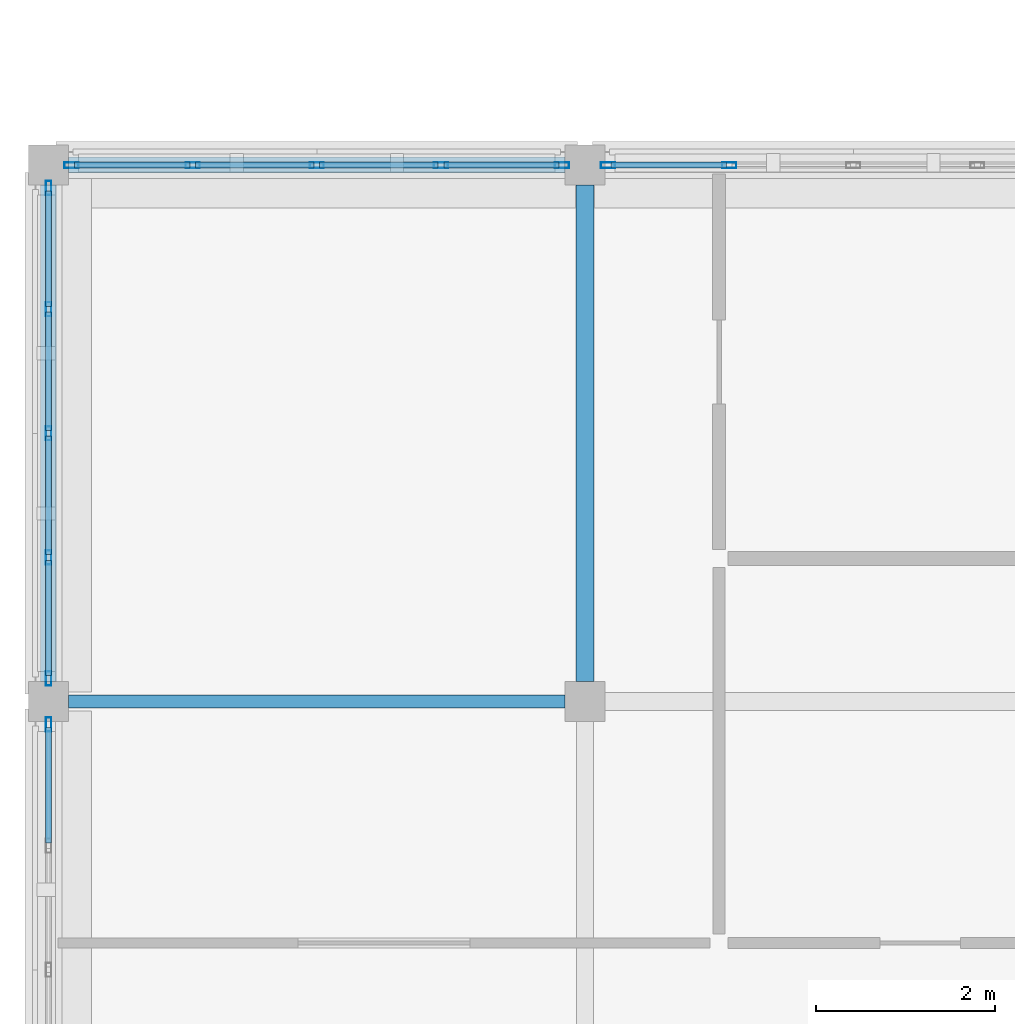
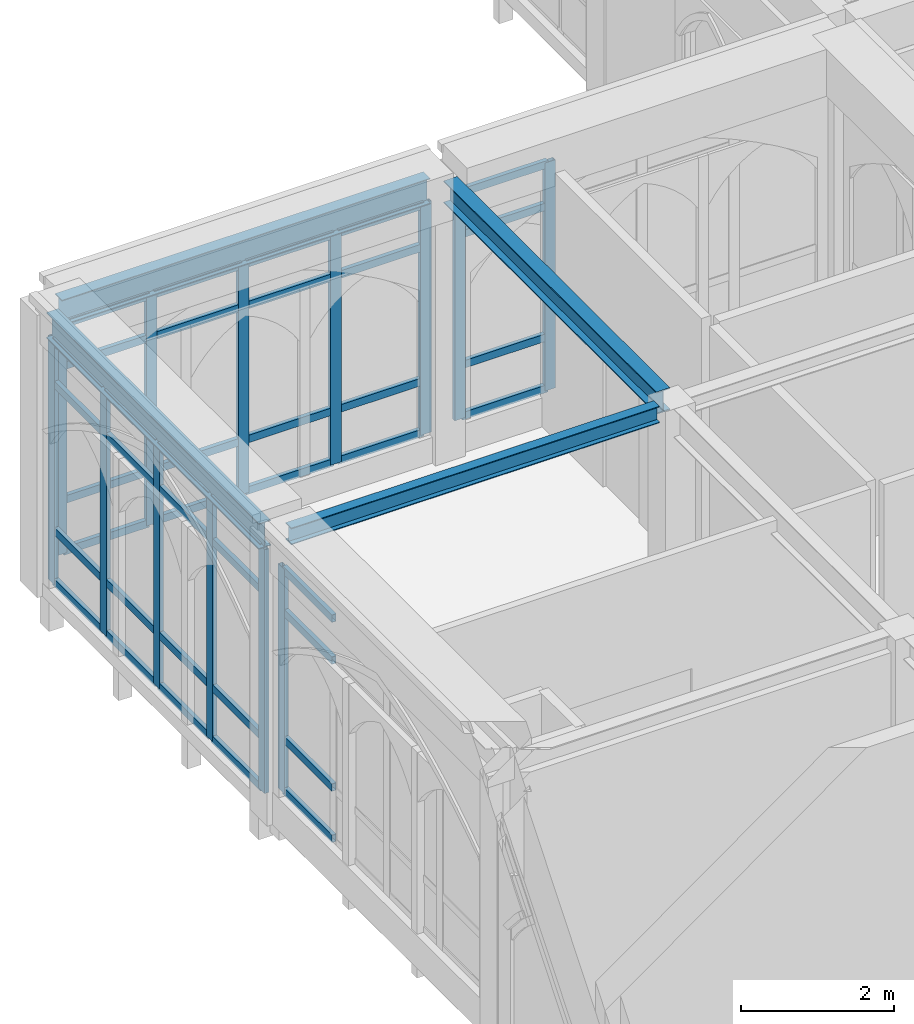
# One storey, part 8 of 59: 53 members, 4 beams, 4 elements without a shape of their own.
"""IFC4 building model written with IfcOpenShell, lengths in metres."""

from ifc_helpers import new_model, si_unit, direction, frame, origin, origin_2d, place, context, subcontext, project, spatial, hollow_rectangle, i_section, extrude, material, layer, layer_set, material_profile, profile_set, type_object, element, aggregate, save


model = new_model("IFC4")

# Units and contexts
model_context = context("Model", 3, precision=1e-05, world=origin(), true_north=direction((0.0, 1.0)))
body_context = subcontext(model_context, "Body", "Model", "MODEL_VIEW")
ifc_project = project(units=[si_unit("LENGTHUNIT", "METRE"), si_unit("AREAUNIT", "SQUARE_METRE"), si_unit("VOLUMEUNIT", "CUBIC_METRE"), si_unit("PLANEANGLEUNIT", "RADIAN"), si_unit("MASSUNIT", "GRAM", prefix="KILO")], contexts=[model_context])

# Site, building, storey
site_placement = place(None, origin())
site = spatial("IfcSite", under=ifc_project, at=site_placement, CompositionType="ELEMENT")
building_placement = place(site_placement, origin())
building = spatial("IfcBuilding", under=site, at=building_placement, Name="Cumevento Cable Car Station", CompositionType="ELEMENT")
storey_placement = place(building_placement, frame((0.0, 0.0, 18.0)))
storey = spatial("IfcBuildingStorey", under=building, at=storey_placement, Name="L05", CompositionType="ELEMENT", Elevation=18.0)

# Curtain wall, members
ifc_material_1 = material(Name="Anodised Bronze Aluminium AW-6063-T6", Category="aluminium")
ifc_layer_1 = layer(ifc_material_1, 0.18994140625)
ifc_layer_set_1 = layer_set([ifc_layer_1], Name="Anodised Bronze Aluminium AW-6063-T6")
curtain_wall_type_1 = type_object("IfcCurtainWallType", Name="Lancet Curtain Wall CW-06 1250", PredefinedType="NOTDEFINED", material=ifc_layer_set_1)
curtain_wall_1_placement = place(storey_placement, origin())
curtain_wall_1 = element("IfcCurtainWall", 1, at=curtain_wall_1_placement, inside=storey, type_object=curtain_wall_type_1, Name="Lancet Curtain Wall CW-06 L05 #197", PredefinedType="NOTDEFINED")
ifc_material_2 = material(Name="Anodised Bronze Aluminium AW-6063-T6", Category="aluminium")
ifc_material_profile_1 = material_profile(ifc_material_2, hollow_rectangle(XDim=0.06494140625, YDim=0.159912109375, WallThickness=0.00390625, at=origin_2d()), Name="ALUM65x160x4")
ifc_profile_set_1 = profile_set([ifc_material_profile_1], Name="Anodised Bronze Aluminium AW-6063-T6")
member_type_1 = type_object("IfcMemberType", Name="Curtain Mullion CWM-01 ALUM65x160x4", PredefinedType="MULLION", material=ifc_profile_set_1)
member_1_placement = place(storey_placement, frame((10.257568359375, 45.0, 0.409912109375), z_axis=(0.0, 0.0, 1.0), x_axis=(0.0, 1.0, 0.0)))
member_1 = element("IfcMember", 2, at=member_1_placement, type_object=member_type_1, Name="CW-06 mullion 1", PredefinedType="MULLION", context=body_context, shape_type="SweptSolid", body=[
    extrude(hollow_rectangle(XDim=0.06494140625, YDim=0.159912109375, WallThickness=0.00390625, at=origin_2d()), origin(), (0.0, 0.0, 1.0), 3.68310546875),
])
member_2_placement = place(storey_placement, frame((11.612548828125, 45.0, 0.409912109375), z_axis=(0.0, 0.0, 1.0), x_axis=(0.0, 1.0, 0.0)))
member_2 = element("IfcMember", 3, at=member_2_placement, type_object=member_type_1, Name="CW-06 mullion 2", PredefinedType="MULLION", context=body_context, shape_type="SweptSolid", body=[
    extrude(hollow_rectangle(XDim=0.06494140625, YDim=0.159912109375, WallThickness=0.00390625, at=origin_2d()), origin(), (0.0, 0.0, 1.0), 3.68310546875),
])
member_3_placement = place(storey_placement, frame((13.0, 45.0, 0.409912109375), z_axis=(0.0, 0.0, 1.0), x_axis=(0.0, 1.0, 0.0)))
member_3 = element("IfcMember", 4, at=member_3_placement, type_object=member_type_1, Name="CW-06 mullion 3", PredefinedType="MULLION", context=body_context, shape_type="SweptSolid", body=[
    extrude(hollow_rectangle(XDim=0.06494140625, YDim=0.159912109375, WallThickness=0.00390625, at=origin_2d()), origin(), (0.0, 0.0, 1.0), 3.68310546875),
])
member_4_placement = place(storey_placement, frame((14.387451171875, 45.0, 0.409912109375), z_axis=(0.0, 0.0, 1.0), x_axis=(0.0, 1.0, 0.0)))
member_4 = element("IfcMember", 5, at=member_4_placement, type_object=member_type_1, Name="CW-06 mullion 4", PredefinedType="MULLION", context=body_context, shape_type="SweptSolid", body=[
    extrude(hollow_rectangle(XDim=0.06494140625, YDim=0.159912109375, WallThickness=0.00390625, at=origin_2d()), origin(), (0.0, 0.0, 1.0), 3.68310546875),
])
member_5_placement = place(storey_placement, frame((15.742431640625, 45.0, 0.409912109375), z_axis=(0.0, 0.0, 1.0), x_axis=(0.0, 1.0, 0.0)))
member_5 = element("IfcMember", 6, at=member_5_placement, type_object=member_type_1, Name="CW-06 mullion 5", PredefinedType="MULLION", context=body_context, shape_type="SweptSolid", body=[
    extrude(hollow_rectangle(XDim=0.06494140625, YDim=0.159912109375, WallThickness=0.00390625, at=origin_2d()), origin(), (0.0, 0.0, 1.0), 3.68310546875),
])

ifc_material_3 = material(Name="Anodised Bronze Aluminium AW-6063-T6", Category="aluminium")
ifc_layer_2 = layer(ifc_material_3, 0.196044921875)
ifc_layer_set_2 = layer_set([ifc_layer_2], Name="Anodised Bronze Aluminium AW-6063-T6")
curtain_wall_type_2 = type_object("IfcCurtainWallType", Name="Lancet Curtain Wall CW-07 1290", PredefinedType="NOTDEFINED", material=ifc_layer_set_2)
curtain_wall_2_placement = place(storey_placement, origin())
curtain_wall_2 = element("IfcCurtainWall", 7, at=curtain_wall_2_placement, inside=storey, type_object=curtain_wall_type_2, Name="Lancet Curtain Wall CW-07 L05 #198", PredefinedType="NOTDEFINED")
member_6_placement = place(storey_placement, frame((16.257568359375, 45.0, 0.4599609375), z_axis=(0.0, 0.0, 1.0), x_axis=(0.0, 1.0, 0.0)))
member_6 = element("IfcMember", 8, at=member_6_placement, type_object=member_type_1, Name="CW-07 mullion 1", PredefinedType="MULLION", context=body_context, shape_type="SweptSolid", body=[
    extrude(hollow_rectangle(XDim=0.06494140625, YDim=0.159912109375, WallThickness=0.00390625, at=origin_2d()), origin(), (0.0, 0.0, 1.0), 3.633056640625),
])
member_7_placement = place(storey_placement, frame((17.612548828125, 45.0, 0.4599609375), z_axis=(0.0, 0.0, 1.0), x_axis=(0.0, 1.0, 0.0)))
member_7 = element("IfcMember", 9, at=member_7_placement, type_object=member_type_1, Name="CW-07 mullion 2", PredefinedType="MULLION", context=body_context, shape_type="SweptSolid", body=[
    extrude(hollow_rectangle(XDim=0.06494140625, YDim=0.159912109375, WallThickness=0.00390625, at=origin_2d()), origin(), (0.0, 0.0, 1.0), 3.633056640625),
])

# Curtain wall, member
ifc_material_4 = material(Name="Anodised Bronze Aluminium AW-6063-T6", Category="aluminium")
ifc_layer_3 = layer(ifc_material_4, 0.201904296875)
ifc_layer_set_3 = layer_set([ifc_layer_3], Name="Anodised Bronze Aluminium AW-6063-T6")
curtain_wall_type_3 = type_object("IfcCurtainWallType", Name="Lancet Curtain Wall CW-08 1330", PredefinedType="NOTDEFINED", material=ifc_layer_set_3)
curtain_wall_3_placement = place(storey_placement, origin())
curtain_wall_3 = element("IfcCurtainWall", 10, at=curtain_wall_3_placement, inside=storey, type_object=curtain_wall_type_3, Name="Lancet Curtain Wall CW-08 L05 #199", PredefinedType="NOTDEFINED")
member_8_placement = place(storey_placement, frame((10.0, 38.742431640625, 0.52001953125), z_axis=(0.0, 0.0, 1.0), x_axis=(-1.0, 0.0, 0.0)))
member_8 = element("IfcMember", 11, at=member_8_placement, type_object=member_type_1, Name="CW-08 mullion 5", PredefinedType="MULLION", context=body_context, shape_type="SweptSolid", body=[
    extrude(hollow_rectangle(XDim=0.06494140625, YDim=0.159912109375, WallThickness=0.00390625, at=origin_2d()), origin(), (0.0, 0.0, 1.0), 3.572998046875),
])

# Curtain wall, members
ifc_material_5 = material(Name="Anodised Bronze Aluminium AW-6063-T6", Category="aluminium")
ifc_layer_4 = layer(ifc_material_5, 0.214111328125)
ifc_layer_set_4 = layer_set([ifc_layer_4], Name="Anodised Bronze Aluminium AW-6063-T6")
curtain_wall_type_4 = type_object("IfcCurtainWallType", Name="Lancet Curtain Wall CW-10 1410", PredefinedType="NOTDEFINED", material=ifc_layer_set_4)
curtain_wall_4_placement = place(storey_placement, origin())
curtain_wall_4 = element("IfcCurtainWall", 12, at=curtain_wall_4_placement, inside=storey, type_object=curtain_wall_type_4, Name="Lancet Curtain Wall CW-10 L05 #201", PredefinedType="NOTDEFINED")
member_9_placement = place(storey_placement, frame((10.0, 39.257568359375, 0.2099609375), z_axis=(0.0, 0.0, 1.0), x_axis=(-1.0, 0.0, 0.0)))
member_9 = element("IfcMember", 13, at=member_9_placement, type_object=member_type_1, Name="CW-10 mullion 1", PredefinedType="MULLION", context=body_context, shape_type="SweptSolid", body=[
    extrude(hollow_rectangle(XDim=0.06494140625, YDim=0.159912109375, WallThickness=0.00390625, at=origin_2d()), origin(), (0.0, 0.0, 1.0), 3.883056640625),
])
member_10_placement = place(storey_placement, frame((10.0, 40.612548828125, 0.2099609375), z_axis=(0.0, 0.0, 1.0), x_axis=(-1.0, 0.0, 0.0)))
member_10 = element("IfcMember", 14, at=member_10_placement, type_object=member_type_1, Name="CW-10 mullion 2", PredefinedType="MULLION", context=body_context, shape_type="SweptSolid", body=[
    extrude(hollow_rectangle(XDim=0.06494140625, YDim=0.159912109375, WallThickness=0.00390625, at=origin_2d()), origin(), (0.0, 0.0, 1.0), 3.883056640625),
])
member_11_placement = place(storey_placement, frame((10.0, 42.0, 0.2099609375), z_axis=(0.0, 0.0, 1.0), x_axis=(-1.0, 0.0, 0.0)))
member_11 = element("IfcMember", 15, at=member_11_placement, type_object=member_type_1, Name="CW-10 mullion 3", PredefinedType="MULLION", context=body_context, shape_type="SweptSolid", body=[
    extrude(hollow_rectangle(XDim=0.06494140625, YDim=0.159912109375, WallThickness=0.00390625, at=origin_2d()), origin(), (0.0, 0.0, 1.0), 3.883056640625),
])
member_12_placement = place(storey_placement, frame((10.0, 43.387451171875, 0.2099609375), z_axis=(0.0, 0.0, 1.0), x_axis=(-1.0, 0.0, 0.0)))
member_12 = element("IfcMember", 16, at=member_12_placement, type_object=member_type_1, Name="CW-10 mullion 4", PredefinedType="MULLION", context=body_context, shape_type="SweptSolid", body=[
    extrude(hollow_rectangle(XDim=0.06494140625, YDim=0.159912109375, WallThickness=0.00390625, at=origin_2d()), origin(), (0.0, 0.0, 1.0), 3.883056640625),
])
member_13_placement = place(storey_placement, frame((10.0, 44.742431640625, 0.2099609375), z_axis=(0.0, 0.0, 1.0), x_axis=(-1.0, 0.0, 0.0)))
member_13 = element("IfcMember", 17, at=member_13_placement, type_object=member_type_1, Name="CW-10 mullion 5", PredefinedType="MULLION", context=body_context, shape_type="SweptSolid", body=[
    extrude(hollow_rectangle(XDim=0.06494140625, YDim=0.159912109375, WallThickness=0.00390625, at=origin_2d()), origin(), (0.0, 0.0, 1.0), 3.883056640625),
])

# Member
ifc_material_6 = material(Name="Anodised Bronze Aluminium AW-6063-T6", Category="aluminium")
ifc_material_profile_2 = material_profile(ifc_material_6, hollow_rectangle(XDim=0.06494140625, YDim=0.1201171875, WallThickness=0.00390625, at=origin_2d()), Name="ALUT65x120x4")
ifc_profile_set_2 = profile_set([ifc_material_profile_2], Name="Anodised Bronze Aluminium AW-6063-T6")
member_type_2 = type_object("IfcMemberType", Name="Curtain Transom CWT-01 ALUT65x120x4", PredefinedType="USERDEFINED", material=ifc_profile_set_2)
member_14_placement = place(storey_placement, frame((10.2900390625, 45.0, 0.4423828125), z_axis=(1.0, 0.0, 0.0), x_axis=(0.0, 1.0, 0.0)))
member_14 = element("IfcMember", 18, at=member_14_placement, type_object=member_type_2, Name="CW-06 transom 1.1", ObjectType="TRANSOM", PredefinedType="USERDEFINED", context=body_context, shape_type="SweptSolid", body=[
    extrude(hollow_rectangle(XDim=0.06494140625, YDim=0.1201171875, WallThickness=0.00390625, at=origin_2d()), origin(), (0.0, 0.0, 1.0), 1.2900390625),
])

member_15_placement = place(storey_placement, frame((10.2900390625, 45.0, 1.260009765625), z_axis=(1.0, 0.0, 0.0), x_axis=(0.0, 1.0, 0.0)))
member_15 = element("IfcMember", 19, at=member_15_placement, type_object=member_type_2, Name="CW-06 transom 1.2", ObjectType="TRANSOM", PredefinedType="USERDEFINED", context=body_context, shape_type="SweptSolid", body=[
    extrude(hollow_rectangle(XDim=0.06494140625, YDim=0.1201171875, WallThickness=0.00390625, at=origin_2d()), origin(), (0.0, 0.0, 1.0), 1.2900390625),
])

member_16_placement = place(storey_placement, frame((10.2900390625, 45.0, 3.39306640625), z_axis=(1.0, 0.0, 0.0), x_axis=(0.0, 1.0, 0.0)))
member_16 = element("IfcMember", 20, at=member_16_placement, type_object=member_type_2, Name="CW-06 transom 1.3", ObjectType="TRANSOM", PredefinedType="USERDEFINED", context=body_context, shape_type="SweptSolid", body=[
    extrude(hollow_rectangle(XDim=0.06494140625, YDim=0.1201171875, WallThickness=0.00390625, at=origin_2d()), origin(), (0.0, 0.0, 1.0), 1.2900390625),
])

member_17_placement = place(storey_placement, frame((10.2900390625, 45.0, 4.060546875), z_axis=(1.0, 0.0, 0.0), x_axis=(0.0, 1.0, 0.0)))
member_17 = element("IfcMember", 21, at=member_17_placement, type_object=member_type_2, Name="CW-06 transom 1.4", ObjectType="TRANSOM", PredefinedType="USERDEFINED", context=body_context, shape_type="SweptSolid", body=[
    extrude(hollow_rectangle(XDim=0.06494140625, YDim=0.1201171875, WallThickness=0.00390625, at=origin_2d()), origin(), (0.0, 0.0, 1.0), 1.2900390625),
])

member_18_placement = place(storey_placement, frame((11.64501953125, 45.0, 0.4423828125), z_axis=(1.0, 0.0, 0.0), x_axis=(0.0, 1.0, 0.0)))
member_18 = element("IfcMember", 22, at=member_18_placement, type_object=member_type_2, Name="CW-06 transom 2.1", ObjectType="TRANSOM", PredefinedType="USERDEFINED", context=body_context, shape_type="SweptSolid", body=[
    extrude(hollow_rectangle(XDim=0.06494140625, YDim=0.1201171875, WallThickness=0.00390625, at=origin_2d()), origin(), (0.0, 0.0, 1.0), 1.322509765625),
])

member_19_placement = place(storey_placement, frame((11.64501953125, 45.0, 1.260009765625), z_axis=(1.0, 0.0, 0.0), x_axis=(0.0, 1.0, 0.0)))
member_19 = element("IfcMember", 23, at=member_19_placement, type_object=member_type_2, Name="CW-06 transom 2.2", ObjectType="TRANSOM", PredefinedType="USERDEFINED", context=body_context, shape_type="SweptSolid", body=[
    extrude(hollow_rectangle(XDim=0.06494140625, YDim=0.1201171875, WallThickness=0.00390625, at=origin_2d()), origin(), (0.0, 0.0, 1.0), 1.322509765625),
])

member_20_placement = place(storey_placement, frame((11.64501953125, 45.0, 3.39306640625), z_axis=(1.0, 0.0, 0.0), x_axis=(0.0, 1.0, 0.0)))
member_20 = element("IfcMember", 24, at=member_20_placement, type_object=member_type_2, Name="CW-06 transom 2.3", ObjectType="TRANSOM", PredefinedType="USERDEFINED", context=body_context, shape_type="SweptSolid", body=[
    extrude(hollow_rectangle(XDim=0.06494140625, YDim=0.1201171875, WallThickness=0.00390625, at=origin_2d()), origin(), (0.0, 0.0, 1.0), 1.322509765625),
])

member_21_placement = place(storey_placement, frame((11.64501953125, 45.0, 4.060546875), z_axis=(1.0, 0.0, 0.0), x_axis=(0.0, 1.0, 0.0)))
member_21 = element("IfcMember", 25, at=member_21_placement, type_object=member_type_2, Name="CW-06 transom 2.4", ObjectType="TRANSOM", PredefinedType="USERDEFINED", context=body_context, shape_type="SweptSolid", body=[
    extrude(hollow_rectangle(XDim=0.06494140625, YDim=0.1201171875, WallThickness=0.00390625, at=origin_2d()), origin(), (0.0, 0.0, 1.0), 1.322509765625),
])

member_22_placement = place(storey_placement, frame((13.032470703125, 45.0, 0.4423828125), z_axis=(1.0, 0.0, 0.0), x_axis=(0.0, 1.0, 0.0)))
member_22 = element("IfcMember", 26, at=member_22_placement, type_object=member_type_2, Name="CW-06 transom 3.1", ObjectType="TRANSOM", PredefinedType="USERDEFINED", context=body_context, shape_type="SweptSolid", body=[
    extrude(hollow_rectangle(XDim=0.06494140625, YDim=0.1201171875, WallThickness=0.00390625, at=origin_2d()), origin(), (0.0, 0.0, 1.0), 1.322509765625),
])

member_23_placement = place(storey_placement, frame((13.032470703125, 45.0, 1.260009765625), z_axis=(1.0, 0.0, 0.0), x_axis=(0.0, 1.0, 0.0)))
member_23 = element("IfcMember", 27, at=member_23_placement, type_object=member_type_2, Name="CW-06 transom 3.2", ObjectType="TRANSOM", PredefinedType="USERDEFINED", context=body_context, shape_type="SweptSolid", body=[
    extrude(hollow_rectangle(XDim=0.06494140625, YDim=0.1201171875, WallThickness=0.00390625, at=origin_2d()), origin(), (0.0, 0.0, 1.0), 1.322509765625),
])

member_24_placement = place(storey_placement, frame((13.032470703125, 45.0, 3.39306640625), z_axis=(1.0, 0.0, 0.0), x_axis=(0.0, 1.0, 0.0)))
member_24 = element("IfcMember", 28, at=member_24_placement, type_object=member_type_2, Name="CW-06 transom 3.3", ObjectType="TRANSOM", PredefinedType="USERDEFINED", context=body_context, shape_type="SweptSolid", body=[
    extrude(hollow_rectangle(XDim=0.06494140625, YDim=0.1201171875, WallThickness=0.00390625, at=origin_2d()), origin(), (0.0, 0.0, 1.0), 1.322509765625),
])

member_25_placement = place(storey_placement, frame((13.032470703125, 45.0, 4.060546875), z_axis=(1.0, 0.0, 0.0), x_axis=(0.0, 1.0, 0.0)))
member_25 = element("IfcMember", 29, at=member_25_placement, type_object=member_type_2, Name="CW-06 transom 3.4", ObjectType="TRANSOM", PredefinedType="USERDEFINED", context=body_context, shape_type="SweptSolid", body=[
    extrude(hollow_rectangle(XDim=0.06494140625, YDim=0.1201171875, WallThickness=0.00390625, at=origin_2d()), origin(), (0.0, 0.0, 1.0), 1.322509765625),
])

member_26_placement = place(storey_placement, frame((14.419921875, 45.0, 0.4423828125), z_axis=(1.0, 0.0, 0.0), x_axis=(0.0, 1.0, 0.0)))
member_26 = element("IfcMember", 30, at=member_26_placement, type_object=member_type_2, Name="CW-06 transom 4.1", ObjectType="TRANSOM", PredefinedType="USERDEFINED", context=body_context, shape_type="SweptSolid", body=[
    extrude(hollow_rectangle(XDim=0.06494140625, YDim=0.1201171875, WallThickness=0.00390625, at=origin_2d()), origin(), (0.0, 0.0, 1.0), 1.2900390625),
])

member_27_placement = place(storey_placement, frame((14.419921875, 45.0, 1.260009765625), z_axis=(1.0, 0.0, 0.0), x_axis=(0.0, 1.0, 0.0)))
member_27 = element("IfcMember", 31, at=member_27_placement, type_object=member_type_2, Name="CW-06 transom 4.2", ObjectType="TRANSOM", PredefinedType="USERDEFINED", context=body_context, shape_type="SweptSolid", body=[
    extrude(hollow_rectangle(XDim=0.06494140625, YDim=0.1201171875, WallThickness=0.00390625, at=origin_2d()), origin(), (0.0, 0.0, 1.0), 1.2900390625),
])

member_28_placement = place(storey_placement, frame((14.419921875, 45.0, 3.39306640625), z_axis=(1.0, 0.0, 0.0), x_axis=(0.0, 1.0, 0.0)))
member_28 = element("IfcMember", 32, at=member_28_placement, type_object=member_type_2, Name="CW-06 transom 4.3", ObjectType="TRANSOM", PredefinedType="USERDEFINED", context=body_context, shape_type="SweptSolid", body=[
    extrude(hollow_rectangle(XDim=0.06494140625, YDim=0.1201171875, WallThickness=0.00390625, at=origin_2d()), origin(), (0.0, 0.0, 1.0), 1.2900390625),
])

member_29_placement = place(storey_placement, frame((14.419921875, 45.0, 4.060546875), z_axis=(1.0, 0.0, 0.0), x_axis=(0.0, 1.0, 0.0)))
member_29 = element("IfcMember", 33, at=member_29_placement, type_object=member_type_2, Name="CW-06 transom 4.4", ObjectType="TRANSOM", PredefinedType="USERDEFINED", context=body_context, shape_type="SweptSolid", body=[
    extrude(hollow_rectangle(XDim=0.06494140625, YDim=0.1201171875, WallThickness=0.00390625, at=origin_2d()), origin(), (0.0, 0.0, 1.0), 1.2900390625),
])

aggregate(curtain_wall_1, [member_1, member_2, member_3, member_4, member_5, member_14, member_15, member_16, member_17, member_18, member_19, member_20, member_21, member_22, member_23, member_24, member_25, member_26, member_27, member_28, member_29])

member_30_placement = place(storey_placement, frame((16.2900390625, 45.0, 0.492431640625), z_axis=(1.0, 0.0, 0.0), x_axis=(0.0, 1.0, 0.0)))
member_30 = element("IfcMember", 34, at=member_30_placement, type_object=member_type_2, Name="CW-07 transom 1.1", ObjectType="TRANSOM", PredefinedType="USERDEFINED", context=body_context, shape_type="SweptSolid", body=[
    extrude(hollow_rectangle(XDim=0.06494140625, YDim=0.1201171875, WallThickness=0.00390625, at=origin_2d()), origin(), (0.0, 0.0, 1.0), 1.2900390625),
])

member_31_placement = place(storey_placement, frame((16.2900390625, 45.0, 1.31005859375), z_axis=(1.0, 0.0, 0.0), x_axis=(0.0, 1.0, 0.0)))
member_31 = element("IfcMember", 35, at=member_31_placement, type_object=member_type_2, Name="CW-07 transom 1.2", ObjectType="TRANSOM", PredefinedType="USERDEFINED", context=body_context, shape_type="SweptSolid", body=[
    extrude(hollow_rectangle(XDim=0.06494140625, YDim=0.1201171875, WallThickness=0.00390625, at=origin_2d()), origin(), (0.0, 0.0, 1.0), 1.2900390625),
])

member_32_placement = place(storey_placement, frame((16.2900390625, 45.0, 3.39306640625), z_axis=(1.0, 0.0, 0.0), x_axis=(0.0, 1.0, 0.0)))
member_32 = element("IfcMember", 36, at=member_32_placement, type_object=member_type_2, Name="CW-07 transom 1.3", ObjectType="TRANSOM", PredefinedType="USERDEFINED", context=body_context, shape_type="SweptSolid", body=[
    extrude(hollow_rectangle(XDim=0.06494140625, YDim=0.1201171875, WallThickness=0.00390625, at=origin_2d()), origin(), (0.0, 0.0, 1.0), 1.2900390625),
])

member_33_placement = place(storey_placement, frame((16.2900390625, 45.0, 4.060546875), z_axis=(1.0, 0.0, 0.0), x_axis=(0.0, 1.0, 0.0)))
member_33 = element("IfcMember", 37, at=member_33_placement, type_object=member_type_2, Name="CW-07 transom 1.4", ObjectType="TRANSOM", PredefinedType="USERDEFINED", context=body_context, shape_type="SweptSolid", body=[
    extrude(hollow_rectangle(XDim=0.06494140625, YDim=0.1201171875, WallThickness=0.00390625, at=origin_2d()), origin(), (0.0, 0.0, 1.0), 1.2900390625),
])

aggregate(curtain_wall_2, [member_6, member_7, member_30, member_31, member_32, member_33])

member_34_placement = place(storey_placement, frame((10.0, 37.419921875, 0.552490234375), z_axis=(0.0, 1.0, 0.0), x_axis=(-1.0, 0.0, 0.0)))
member_34 = element("IfcMember", 38, at=member_34_placement, type_object=member_type_2, Name="CW-08 transom 4.1", ObjectType="TRANSOM", PredefinedType="USERDEFINED", context=body_context, shape_type="SweptSolid", body=[
    extrude(hollow_rectangle(XDim=0.06494140625, YDim=0.1201171875, WallThickness=0.00390625, at=origin_2d()), origin(), (0.0, 0.0, 1.0), 1.2900390625),
])

member_35_placement = place(storey_placement, frame((10.0, 37.419921875, 1.3701171875), z_axis=(0.0, 1.0, 0.0), x_axis=(-1.0, 0.0, 0.0)))
member_35 = element("IfcMember", 39, at=member_35_placement, type_object=member_type_2, Name="CW-08 transom 4.2", ObjectType="TRANSOM", PredefinedType="USERDEFINED", context=body_context, shape_type="SweptSolid", body=[
    extrude(hollow_rectangle(XDim=0.06494140625, YDim=0.1201171875, WallThickness=0.00390625, at=origin_2d()), origin(), (0.0, 0.0, 1.0), 1.2900390625),
])

member_36_placement = place(storey_placement, frame((10.0, 37.419921875, 3.39306640625), z_axis=(0.0, 1.0, 0.0), x_axis=(-1.0, 0.0, 0.0)))
member_36 = element("IfcMember", 40, at=member_36_placement, type_object=member_type_2, Name="CW-08 transom 4.3", ObjectType="TRANSOM", PredefinedType="USERDEFINED", context=body_context, shape_type="SweptSolid", body=[
    extrude(hollow_rectangle(XDim=0.06494140625, YDim=0.1201171875, WallThickness=0.00390625, at=origin_2d()), origin(), (0.0, 0.0, 1.0), 1.2900390625),
])

member_37_placement = place(storey_placement, frame((10.0, 37.419921875, 4.060546875), z_axis=(0.0, 1.0, 0.0), x_axis=(-1.0, 0.0, 0.0)))
member_37 = element("IfcMember", 41, at=member_37_placement, type_object=member_type_2, Name="CW-08 transom 4.4", ObjectType="TRANSOM", PredefinedType="USERDEFINED", context=body_context, shape_type="SweptSolid", body=[
    extrude(hollow_rectangle(XDim=0.06494140625, YDim=0.1201171875, WallThickness=0.00390625, at=origin_2d()), origin(), (0.0, 0.0, 1.0), 1.2900390625),
])

aggregate(curtain_wall_3, [member_8, member_34, member_35, member_36, member_37])

member_38_placement = place(storey_placement, frame((10.0, 39.2900390625, 0.242431640625), z_axis=(0.0, 1.0, 0.0), x_axis=(-1.0, 0.0, 0.0)))
member_38 = element("IfcMember", 42, at=member_38_placement, type_object=member_type_2, Name="CW-10 transom 1.1", ObjectType="TRANSOM", PredefinedType="USERDEFINED", context=body_context, shape_type="SweptSolid", body=[
    extrude(hollow_rectangle(XDim=0.06494140625, YDim=0.1201171875, WallThickness=0.00390625, at=origin_2d()), origin(), (0.0, 0.0, 1.0), 1.2900390625),
])

member_39_placement = place(storey_placement, frame((10.0, 39.2900390625, 1.06005859375), z_axis=(0.0, 1.0, 0.0), x_axis=(-1.0, 0.0, 0.0)))
member_39 = element("IfcMember", 43, at=member_39_placement, type_object=member_type_2, Name="CW-10 transom 1.2", ObjectType="TRANSOM", PredefinedType="USERDEFINED", context=body_context, shape_type="SweptSolid", body=[
    extrude(hollow_rectangle(XDim=0.06494140625, YDim=0.1201171875, WallThickness=0.00390625, at=origin_2d()), origin(), (0.0, 0.0, 1.0), 1.2900390625),
])

member_40_placement = place(storey_placement, frame((10.0, 39.2900390625, 3.39306640625), z_axis=(0.0, 1.0, 0.0), x_axis=(-1.0, 0.0, 0.0)))
member_40 = element("IfcMember", 44, at=member_40_placement, type_object=member_type_2, Name="CW-10 transom 1.3", ObjectType="TRANSOM", PredefinedType="USERDEFINED", context=body_context, shape_type="SweptSolid", body=[
    extrude(hollow_rectangle(XDim=0.06494140625, YDim=0.1201171875, WallThickness=0.00390625, at=origin_2d()), origin(), (0.0, 0.0, 1.0), 1.2900390625),
])

member_41_placement = place(storey_placement, frame((10.0, 39.2900390625, 4.060546875), z_axis=(0.0, 1.0, 0.0), x_axis=(-1.0, 0.0, 0.0)))
member_41 = element("IfcMember", 45, at=member_41_placement, type_object=member_type_2, Name="CW-10 transom 1.4", ObjectType="TRANSOM", PredefinedType="USERDEFINED", context=body_context, shape_type="SweptSolid", body=[
    extrude(hollow_rectangle(XDim=0.06494140625, YDim=0.1201171875, WallThickness=0.00390625, at=origin_2d()), origin(), (0.0, 0.0, 1.0), 1.2900390625),
])

member_42_placement = place(storey_placement, frame((10.0, 40.64501953125, 0.242431640625), z_axis=(0.0, 1.0, 0.0), x_axis=(-1.0, 0.0, 0.0)))
member_42 = element("IfcMember", 46, at=member_42_placement, type_object=member_type_2, Name="CW-10 transom 2.1", ObjectType="TRANSOM", PredefinedType="USERDEFINED", context=body_context, shape_type="SweptSolid", body=[
    extrude(hollow_rectangle(XDim=0.06494140625, YDim=0.1201171875, WallThickness=0.00390625, at=origin_2d()), origin(), (0.0, 0.0, 1.0), 1.322509765625),
])

member_43_placement = place(storey_placement, frame((10.0, 40.64501953125, 1.06005859375), z_axis=(0.0, 1.0, 0.0), x_axis=(-1.0, 0.0, 0.0)))
member_43 = element("IfcMember", 47, at=member_43_placement, type_object=member_type_2, Name="CW-10 transom 2.2", ObjectType="TRANSOM", PredefinedType="USERDEFINED", context=body_context, shape_type="SweptSolid", body=[
    extrude(hollow_rectangle(XDim=0.06494140625, YDim=0.1201171875, WallThickness=0.00390625, at=origin_2d()), origin(), (0.0, 0.0, 1.0), 1.322509765625),
])

member_44_placement = place(storey_placement, frame((10.0, 40.64501953125, 3.39306640625), z_axis=(0.0, 1.0, 0.0), x_axis=(-1.0, 0.0, 0.0)))
member_44 = element("IfcMember", 48, at=member_44_placement, type_object=member_type_2, Name="CW-10 transom 2.3", ObjectType="TRANSOM", PredefinedType="USERDEFINED", context=body_context, shape_type="SweptSolid", body=[
    extrude(hollow_rectangle(XDim=0.06494140625, YDim=0.1201171875, WallThickness=0.00390625, at=origin_2d()), origin(), (0.0, 0.0, 1.0), 1.322509765625),
])

member_45_placement = place(storey_placement, frame((10.0, 40.64501953125, 4.060546875), z_axis=(0.0, 1.0, 0.0), x_axis=(-1.0, 0.0, 0.0)))
member_45 = element("IfcMember", 49, at=member_45_placement, type_object=member_type_2, Name="CW-10 transom 2.4", ObjectType="TRANSOM", PredefinedType="USERDEFINED", context=body_context, shape_type="SweptSolid", body=[
    extrude(hollow_rectangle(XDim=0.06494140625, YDim=0.1201171875, WallThickness=0.00390625, at=origin_2d()), origin(), (0.0, 0.0, 1.0), 1.322509765625),
])

member_46_placement = place(storey_placement, frame((10.0, 42.032470703125, 0.242431640625), z_axis=(0.0, 1.0, 0.0), x_axis=(-1.0, 0.0, 0.0)))
member_46 = element("IfcMember", 50, at=member_46_placement, type_object=member_type_2, Name="CW-10 transom 3.1", ObjectType="TRANSOM", PredefinedType="USERDEFINED", context=body_context, shape_type="SweptSolid", body=[
    extrude(hollow_rectangle(XDim=0.06494140625, YDim=0.1201171875, WallThickness=0.00390625, at=origin_2d()), origin(), (0.0, 0.0, 1.0), 1.322509765625),
])

member_47_placement = place(storey_placement, frame((10.0, 42.032470703125, 1.06005859375), z_axis=(0.0, 1.0, 0.0), x_axis=(-1.0, 0.0, 0.0)))
member_47 = element("IfcMember", 51, at=member_47_placement, type_object=member_type_2, Name="CW-10 transom 3.2", ObjectType="TRANSOM", PredefinedType="USERDEFINED", context=body_context, shape_type="SweptSolid", body=[
    extrude(hollow_rectangle(XDim=0.06494140625, YDim=0.1201171875, WallThickness=0.00390625, at=origin_2d()), origin(), (0.0, 0.0, 1.0), 1.322509765625),
])

member_48_placement = place(storey_placement, frame((10.0, 42.032470703125, 3.39306640625), z_axis=(0.0, 1.0, 0.0), x_axis=(-1.0, 0.0, 0.0)))
member_48 = element("IfcMember", 52, at=member_48_placement, type_object=member_type_2, Name="CW-10 transom 3.3", ObjectType="TRANSOM", PredefinedType="USERDEFINED", context=body_context, shape_type="SweptSolid", body=[
    extrude(hollow_rectangle(XDim=0.06494140625, YDim=0.1201171875, WallThickness=0.00390625, at=origin_2d()), origin(), (0.0, 0.0, 1.0), 1.322509765625),
])

member_49_placement = place(storey_placement, frame((10.0, 42.032470703125, 4.060546875), z_axis=(0.0, 1.0, 0.0), x_axis=(-1.0, 0.0, 0.0)))
member_49 = element("IfcMember", 53, at=member_49_placement, type_object=member_type_2, Name="CW-10 transom 3.4", ObjectType="TRANSOM", PredefinedType="USERDEFINED", context=body_context, shape_type="SweptSolid", body=[
    extrude(hollow_rectangle(XDim=0.06494140625, YDim=0.1201171875, WallThickness=0.00390625, at=origin_2d()), origin(), (0.0, 0.0, 1.0), 1.322509765625),
])

member_50_placement = place(storey_placement, frame((10.0, 43.419921875, 0.242431640625), z_axis=(0.0, 1.0, 0.0), x_axis=(-1.0, 0.0, 0.0)))
member_50 = element("IfcMember", 54, at=member_50_placement, type_object=member_type_2, Name="CW-10 transom 4.1", ObjectType="TRANSOM", PredefinedType="USERDEFINED", context=body_context, shape_type="SweptSolid", body=[
    extrude(hollow_rectangle(XDim=0.06494140625, YDim=0.1201171875, WallThickness=0.00390625, at=origin_2d()), origin(), (0.0, 0.0, 1.0), 1.2900390625),
])

member_51_placement = place(storey_placement, frame((10.0, 43.419921875, 1.06005859375), z_axis=(0.0, 1.0, 0.0), x_axis=(-1.0, 0.0, 0.0)))
member_51 = element("IfcMember", 55, at=member_51_placement, type_object=member_type_2, Name="CW-10 transom 4.2", ObjectType="TRANSOM", PredefinedType="USERDEFINED", context=body_context, shape_type="SweptSolid", body=[
    extrude(hollow_rectangle(XDim=0.06494140625, YDim=0.1201171875, WallThickness=0.00390625, at=origin_2d()), origin(), (0.0, 0.0, 1.0), 1.2900390625),
])

member_52_placement = place(storey_placement, frame((10.0, 43.419921875, 3.39306640625), z_axis=(0.0, 1.0, 0.0), x_axis=(-1.0, 0.0, 0.0)))
member_52 = element("IfcMember", 56, at=member_52_placement, type_object=member_type_2, Name="CW-10 transom 4.3", ObjectType="TRANSOM", PredefinedType="USERDEFINED", context=body_context, shape_type="SweptSolid", body=[
    extrude(hollow_rectangle(XDim=0.06494140625, YDim=0.1201171875, WallThickness=0.00390625, at=origin_2d()), origin(), (0.0, 0.0, 1.0), 1.2900390625),
])

member_53_placement = place(storey_placement, frame((10.0, 43.419921875, 4.060546875), z_axis=(0.0, 1.0, 0.0), x_axis=(-1.0, 0.0, 0.0)))
member_53 = element("IfcMember", 57, at=member_53_placement, type_object=member_type_2, Name="CW-10 transom 4.4", ObjectType="TRANSOM", PredefinedType="USERDEFINED", context=body_context, shape_type="SweptSolid", body=[
    extrude(hollow_rectangle(XDim=0.06494140625, YDim=0.1201171875, WallThickness=0.00390625, at=origin_2d()), origin(), (0.0, 0.0, 1.0), 1.2900390625),
])

aggregate(curtain_wall_4, [member_9, member_10, member_11, member_12, member_13, member_38, member_39, member_40, member_41, member_42, member_43, member_44, member_45, member_46, member_47, member_48, member_49, member_50, member_51, member_52, member_53])

# Beams
ifc_material_7 = material(Name="Steel ASTM A572 Grade 50", Category="steel")
ifc_material_profile_3 = material_profile(ifc_material_7, i_section(OverallWidth=0.205078125, OverallDepth=0.35400390625, WebThickness=0.009521484375, FlangeThickness=0.016845703125, at=origin_2d()), Name="W360x79.0")
ifc_profile_set_3 = profile_set([ifc_material_profile_3], Name="Steel ASTM A572 Grade 50")
beam_type_1 = type_object("IfcBeamType", Name="Structural Beam BM-05 W360x79.0", PredefinedType="BEAM", material=ifc_profile_set_3)
beam_1_placement = place(storey_placement, frame((16.0, 39.22509765625, 4.322998046875), z_axis=(0.0, 1.0, 0.0), x_axis=(-1.0, 0.0, 0.0)))
element("IfcBeam", 58, at=beam_1_placement, inside=storey, type_object=beam_type_1, Name="Beam BM-05 L05 #1587", PredefinedType="BEAM", context=body_context, shape_type="SweptSolid", body=[
    extrude(i_section(OverallWidth=0.205078125, OverallDepth=0.35400390625, WebThickness=0.009521484375, FlangeThickness=0.016845703125, at=origin_2d()), origin(), (0.0, 0.0, 1.0), 5.5498046875),
])
ifc_material_8 = material(Name="Steel ASTM A572 Grade 50", Category="steel")
ifc_material_profile_4 = material_profile(ifc_material_8, i_section(OverallWidth=0.14794921875, OverallDepth=0.26611328125, WebThickness=0.007568359375, FlangeThickness=0.012939453125, at=origin_2d()), Name="W250x44.8")
ifc_profile_set_4 = profile_set([ifc_material_profile_4], Name="Steel ASTM A572 Grade 50")
beam_type_2 = type_object("IfcBeamType", Name="Structural Beam BM-07 W250x44.8", PredefinedType="BEAM", material=ifc_profile_set_4)
beam_2_placement = place(storey_placement, frame((10.22509765625, 39.0, 4.366943359375), z_axis=(1.0, 0.0, 0.0), x_axis=(0.0, 1.0, 0.0)))
element("IfcBeam", 59, at=beam_2_placement, inside=storey, type_object=beam_type_2, Name="Beam BM-07 L05 #1580", PredefinedType="BEAM", context=body_context, shape_type="SweptSolid", body=[
    extrude(i_section(OverallWidth=0.14794921875, OverallDepth=0.26611328125, WebThickness=0.007568359375, FlangeThickness=0.012939453125, at=origin_2d()), origin(), (0.0, 0.0, 1.0), 5.5498046875),
])
ifc_material_9 = material(Name="Steel ASTM A572 Grade 50", Category="steel")
ifc_material_profile_5 = material_profile(ifc_material_9, i_section(OverallWidth=0.177978515625, OverallDepth=0.406982421875, WebThickness=0.0078125, FlangeThickness=0.0126953125, at=origin_2d()), Name="W410x60.0")
ifc_profile_set_5 = profile_set([ifc_material_profile_5], Name="Steel ASTM A572 Grade 50")
beam_type_3 = type_object("IfcBeamType", Name="Structural Spandrel SP-01 W410x60.0", PredefinedType="SPANDREL", material=ifc_profile_set_5)
for number, where, z_axis, x_axis, name in (
    (60, (10.22509765625, 45.0, 4.29638671875), (1.0, 0.0, 0.0), (0.0, 1.0, 0.0), "Beam SP-01 L05 #1582"),
    (61, (10.0, 39.22509765625, 4.29638671875), (0.0, 1.0, 0.0), (-1.0, 0.0, 0.0), "Beam SP-01 L05 #1585"),
):
    element("IfcBeam", number, at=place(storey_placement, frame(where, z_axis=z_axis, x_axis=x_axis)), inside=storey, type_object=beam_type_3, Name=name, PredefinedType="SPANDREL", context=body_context, shape_type="SweptSolid", body=[
        extrude(i_section(OverallWidth=0.177978515625, OverallDepth=0.406982421875, WebThickness=0.0078125, FlangeThickness=0.0126953125, at=origin_2d()), origin(), (0.0, 0.0, 1.0), 5.5498046875),
    ])

save(model, "model.ifc")
